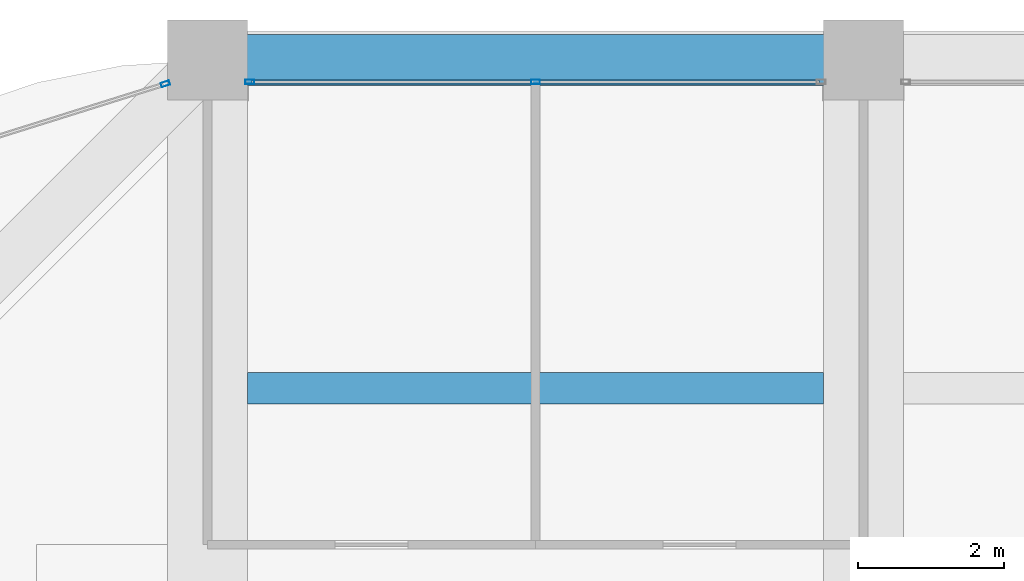
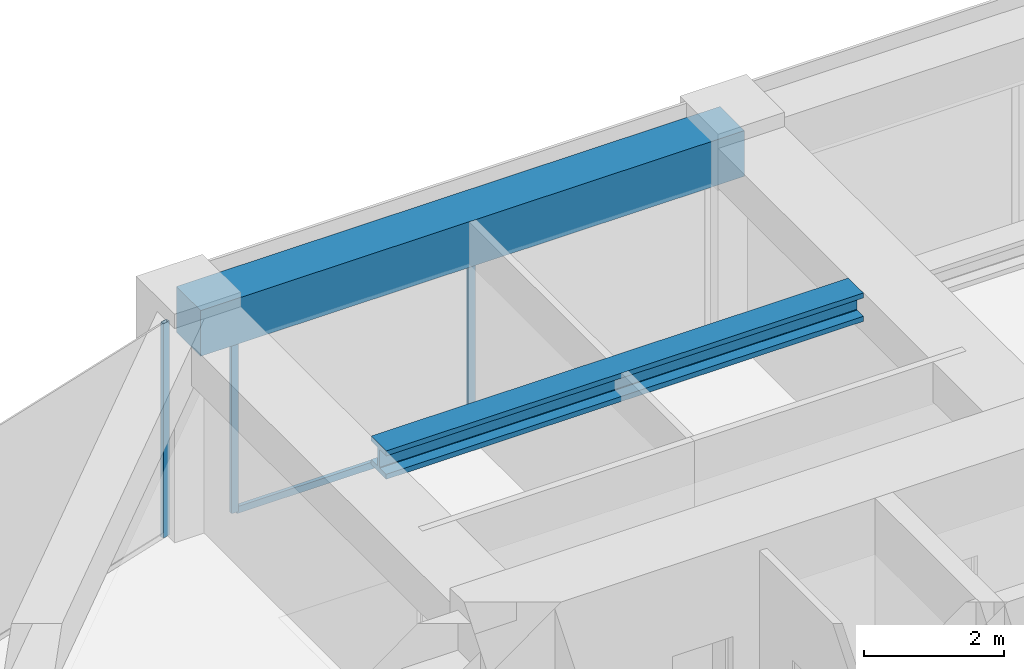
# One storey, part 31 of 44: 4 members, 2 beams, 2 elements without a shape of their own.
"""IFC4 building model written with IfcOpenShell, lengths in metres."""

import ifcopenshell
import ifcopenshell.guid

model = None  # the IFC model being written
_history = None  # IfcOwnerHistory: only IFC2X3 demands one
_inside = {}  # id of a spatial element -> (the spatial element, [elements in it])
_under = {}  # id of a project, library or spatial element -> (it, [spatial elements below it])
_declared = {}  # id of a project -> (the project, [libraries it declares])
_typed = {}  # id of a type object -> (the type object, [elements of that type])
_made_of = {}  # id of a material, layer set ... -> (it, [elements and type objects made of it])


def new_model(schema):
    """Start an empty IFC model of exactly this schema.

    Asked for "IFC4X3", IfcOpenShell would pick the latest addendum, in which some entities
    have other attributes; the version numbers below select the first issue.
    IFC2X3 requires an IfcOwnerHistory on every rooted entity: one is made here for all.
    """
    global model, _history
    if schema == "IFC4X3":
        model = ifcopenshell.file(schema_version=(4, 3, 0, 0))
    else:
        model = ifcopenshell.file(schema=schema)
    _inside.clear()
    _under.clear()
    _declared.clear()
    _typed.clear()
    _made_of.clear()
    _history = None
    if model.schema == "IFC2X3":
        org = make("IfcOrganization", Name="unknown")
        user = make(
            "IfcPersonAndOrganization",
            ThePerson=make("IfcPerson", FamilyName="unknown"),
            TheOrganization=org,
        )
        app = make(
            "IfcApplication",
            ApplicationDeveloper=org,
            Version="unknown",
            ApplicationFullName="unknown",
            ApplicationIdentifier="unknown",
        )
        _history = make(
            "IfcOwnerHistory",
            OwningUser=user,
            OwningApplication=app,
            ChangeAction="ADDED",
            CreationDate=0,
        )
    return model


def make(cls, **values):
    """One entity of the class cls with the attributes given. An attribute that is None is left unset."""
    return model.create_entity(
        cls, **{name: value for name, value in values.items() if value is not None}
    )


def rooted(cls, **values):
    """An entity with a GlobalId (a new one), such as an element, a storey or a relation."""
    return make(cls, GlobalId=ifcopenshell.guid.new(), OwnerHistory=_history, **values)


def si_unit(unit_type, name, prefix=None):
    """IfcSIUnit, for example si_unit("LENGTHUNIT", "METRE", prefix="MILLI")."""
    return make("IfcSIUnit", UnitType=unit_type, Prefix=prefix, Name=name)


def assignment(units):
    """IfcUnitAssignment: the units of a project."""
    return None if units is None else make("IfcUnitAssignment", Units=units)


def point(xyz):
    """IfcCartesianPoint."""
    return None if xyz is None else make("IfcCartesianPoint", Coordinates=xyz)


def direction(xyz):
    """IfcDirection."""
    return None if xyz is None else make("IfcDirection", DirectionRatios=xyz)


def frame(location, z_axis=None, x_axis=None):
    """IfcAxis2Placement3D, a coordinate frame: its origin and axes. An axis left out is left unset."""
    return make(
        "IfcAxis2Placement3D",
        Location=point(location),
        Axis=direction(z_axis),
        RefDirection=direction(x_axis),
    )


def frame_2d(location, x_axis=None):
    """IfcAxis2Placement2D, a coordinate frame in the plane: its origin and x axis."""
    return make(
        "IfcAxis2Placement2D", Location=point(location), RefDirection=direction(x_axis)
    )


def origin():
    """The frame at (0, 0, 0) with its axes left unset."""
    return frame((0.0, 0.0, 0.0))


def origin_2d():
    """The frame at (0, 0) in the plane with its x axis left unset."""
    return frame_2d((0.0, 0.0))


def place(relative_to, where):
    """IfcLocalPlacement: puts the frame where relative to a parent placement (None: the world)."""
    return make(
        "IfcLocalPlacement", PlacementRelTo=relative_to, RelativePlacement=where
    )


def context(
    kind, dimensions, precision=None, world=None, true_north=None, identifier=None
):
    """IfcGeometricRepresentationContext, for example the 3D "Model" context."""
    return make(
        "IfcGeometricRepresentationContext",
        ContextIdentifier=identifier,
        ContextType=kind,
        CoordinateSpaceDimension=dimensions,
        Precision=precision,
        WorldCoordinateSystem=world,
        TrueNorth=true_north,
    )


def subcontext(parent, identifier, kind, view, scale=None):
    """IfcGeometricRepresentationSubContext, for example "Body" below "Model"."""
    return make(
        "IfcGeometricRepresentationSubContext",
        ContextIdentifier=identifier,
        ContextType=kind,
        ParentContext=parent,
        TargetScale=scale,
        TargetView=view,
    )


def project(units=None, contexts=None):
    """IfcProject with its units and contexts."""
    return rooted(
        "IfcProject",
        Name="project",
        RepresentationContexts=contexts,
        UnitsInContext=assignment(units),
    )


def spatial(cls, under=None, at=None, **own):
    """A site, building, storey or space (cls), placed at a placement, below another one or the project."""
    s = rooted(cls, ObjectPlacement=at, **own)
    if under is not None:
        _under.setdefault(under.id(), (under, []))[1].append(s)
    return s


def profile(cls, at=None, kind="AREA", **sizes):
    """A parametric profile (cls). Its sizes go by their IFC names, for example OverallWidth=200.0."""
    return make(cls, ProfileType=kind, Position=at, **sizes)


def rectangle(**sizes):
    """IfcRectangleProfileDef."""
    return profile("IfcRectangleProfileDef", **sizes)


def hollow_rectangle(**sizes):
    """IfcRectangleHollowProfileDef."""
    return profile("IfcRectangleHollowProfileDef", **sizes)


def i_section(**sizes):
    """IfcIShapeProfileDef."""
    return profile("IfcIShapeProfileDef", **sizes)


def extrude(swept, where, along, depth):
    """IfcExtrudedAreaSolid: the profile swept, set in the frame where, extruded along a direction by depth."""
    return make(
        "IfcExtrudedAreaSolid",
        SweptArea=swept,
        Position=where,
        ExtrudedDirection=direction(along),
        Depth=depth,
    )


def shape(context_of_items, identifier, shape_type, items):
    """IfcShapeRepresentation: the items that make up one representation, for example the "Body"."""
    return make(
        "IfcShapeRepresentation",
        ContextOfItems=context_of_items,
        RepresentationIdentifier=identifier,
        RepresentationType=shape_type,
        Items=items,
    )


def material(Name=None, Category=None):
    """IfcMaterial."""
    return make("IfcMaterial", Name=Name, Category=Category)


def material_profile(
    of_material, cross_section, Name=None, Category=None, Priority=None
):
    """IfcMaterialProfile: a cross section and its material."""
    return make(
        "IfcMaterialProfile",
        Name=Name,
        Material=of_material,
        Profile=cross_section,
        Priority=Priority,
        Category=Category,
    )


def profile_set(profiles, Name=None, composite=None):
    """IfcMaterialProfileSet."""
    return make(
        "IfcMaterialProfileSet",
        Name=Name,
        MaterialProfiles=profiles,
        CompositeProfile=composite,
    )


def made_of(thing, what):
    """Note that an element or type object is made of a material, layer set ...; save() writes the relation."""
    if what is not None:
        _made_of.setdefault(what.id(), (what, []))[1].append(thing)
    return thing


def type_object(cls, material=None, **own):
    """A type object (cls), such as IfcWallType, which elements share."""
    return made_of(rooted(cls, **own), material)


def element(
    cls,
    number,
    at=None,
    inside=None,
    cuts=None,
    type_object=None,
    material=None,
    context=None,
    identifier="Body",
    shape_type=None,
    held_by="IfcProductDefinitionShape",
    body=None,
    shapes=None,
    **own,
):
    """One element of the class cls, such as IfcWall. Its Tag is "e" and its number.

    at: its placement. inside: the storey or other place that contains it. cuts: it is an
    opening in that element (IfcRelVoidsElement). A single representation is given by context,
    identifier, shape_type and body (its items); several are given by shapes. held_by: the class
    of the entity that holds the representations. save() writes the other relations.
    """
    e = rooted(cls, Tag="e%d" % number, ObjectPlacement=at, **own)
    if body is not None:
        shapes = [shape(context, identifier, shape_type, body)]
    if shapes is not None:
        e.Representation = make(held_by, Representations=shapes)
    if inside is not None:
        _inside.setdefault(inside.id(), (inside, []))[1].append(e)
    if cuts is not None:
        rooted(
            "IfcRelVoidsElement", RelatingBuildingElement=cuts, RelatedOpeningElement=e
        )
    if type_object is not None:
        _typed.setdefault(type_object.id(), (type_object, []))[1].append(e)
    return made_of(e, material)


def aggregate(whole, parts):
    """IfcRelAggregates: a whole, such as a stair, and the parts it consists of."""
    return rooted("IfcRelAggregates", RelatingObject=whole, RelatedObjects=parts)


def save(model, path):
    """Write the relations noted so far, then the file.

    IfcRelAggregates (storeys below a building ...), IfcRelContainedInSpatialStructure (elements
    in a storey), IfcRelDefinesByType, IfcRelAssociatesMaterial and IfcRelDeclares: one each for
    every whole, place, type object, material and project.
    """
    for whole, parts in _under.values():
        aggregate(whole, parts)
    for where, things in _inside.values():
        rooted(
            "IfcRelContainedInSpatialStructure",
            RelatedElements=things,
            RelatingStructure=where,
        )
    for kind, things in _typed.values():
        rooted("IfcRelDefinesByType", RelatedObjects=things, RelatingType=kind)
    for what, things in _made_of.values():
        rooted("IfcRelAssociatesMaterial", RelatedObjects=things, RelatingMaterial=what)
    for by, libraries in _declared.values():
        rooted("IfcRelDeclares", RelatingContext=by, RelatedDefinitions=libraries)
    model.write(path)


model = new_model("IFC4")

# Units and contexts
model_context = context("Model", 3, precision=1e-05, world=origin(), true_north=direction((0.0, 1.0)))
body_context = subcontext(model_context, "Body", "Model", "MODEL_VIEW")
ifc_project = project(units=[si_unit("LENGTHUNIT", "METRE"), si_unit("AREAUNIT", "SQUARE_METRE"), si_unit("VOLUMEUNIT", "CUBIC_METRE"), si_unit("PLANEANGLEUNIT", "RADIAN"), si_unit("MASSUNIT", "GRAM", prefix="KILO")], contexts=[model_context])

# Site, building, storey
site_placement = place(None, origin())
site = spatial("IfcSite", under=ifc_project, at=site_placement, CompositionType="ELEMENT")
building_placement = place(site_placement, origin())
building = spatial("IfcBuilding", under=site, at=building_placement, Name="Zorevar Civic Tower", CompositionType="ELEMENT")
storey_placement = place(building_placement, frame((0.0, 0.0, 283.39990234375)))
storey = spatial("IfcBuildingStorey", under=building, at=storey_placement, Name="L69", CompositionType="ELEMENT", Elevation=283.39990234375)

# Curtain wall, members
ifc_material_1 = material(Name="Dark grey solar-control glass in black aluminium frame", Category="aluminium")
curtain_wall_type = type_object("IfcCurtainWallType", Name="Curtain wall CW5 top zone", PredefinedType="NOTDEFINED", material=ifc_material_1)
curtain_wall_1_placement = place(storey_placement, origin())
curtain_wall_1 = element("IfcCurtainWall", 1, at=curtain_wall_1_placement, inside=storey, type_object=curtain_wall_type, Name="CW5 L69", PredefinedType="NOTDEFINED")
ifc_material_2 = material(Name="Aluminium, black anodised", Category="aluminium")
ifc_material_profile_1 = material_profile(ifc_material_2, hollow_rectangle(XDim=0.06005859375, YDim=0.1201171875, WallThickness=0.0029296875, at=origin_2d()), Name="AL 120x60x3")
ifc_profile_set_1 = profile_set([ifc_material_profile_1], Name="Aluminium, black anodised")
member_type_1 = type_object("IfcMemberType", Name="CW5 mullion AL 120x60x3", PredefinedType="MULLION", material=ifc_profile_set_1)
member_1_placement = place(storey_placement, frame((18.580078125, 44.699951171875, 0.0), z_axis=(0.0, 0.0, 1.0), x_axis=(0.0, 1.0, 0.0)))
member_1 = element("IfcMember", 2, at=member_1_placement, type_object=member_type_1, Name="CW5 mullion 1", PredefinedType="MULLION", context=body_context, shape_type="SweptSolid", body=[
    extrude(hollow_rectangle(XDim=0.06005859375, YDim=0.1201171875, WallThickness=0.0029296875, at=origin_2d()), origin(), (0.0, 0.0, 1.0), 2.9501953125),
])
member_2_placement = place(storey_placement, frame((22.5, 44.699951171875, 0.06005859375), z_axis=(0.0, 0.0, 1.0), x_axis=(0.0, 1.0, 0.0)))
member_2 = element("IfcMember", 3, at=member_2_placement, type_object=member_type_1, Name="CW5 mullion 2", PredefinedType="MULLION", context=body_context, shape_type="SweptSolid", body=[
    extrude(hollow_rectangle(XDim=0.06005859375, YDim=0.1201171875, WallThickness=0.0029296875, at=origin_2d()), origin(), (0.0, 0.0, 1.0), 2.89013671875),
])

# Curtain wall, member
curtain_wall_2_placement = place(storey_placement, origin())
curtain_wall_2 = element("IfcCurtainWall", 4, at=curtain_wall_2_placement, inside=storey, type_object=curtain_wall_type, Name="CW5 L69", PredefinedType="NOTDEFINED")
member_3_placement = place(storey_placement, frame((17.42138671875, 44.673583984375, 0.0), z_axis=(0.0, 0.0, 1.0), x_axis=(0.299317920238, -0.954153437674, 0.0)))
member_3 = element("IfcMember", 5, at=member_3_placement, type_object=member_type_1, Name="CW5 mullion 1", PredefinedType="MULLION", context=body_context, shape_type="SweptSolid", body=[
    extrude(hollow_rectangle(XDim=0.06005859375, YDim=0.1201171875, WallThickness=0.0029296875, at=origin_2d()), origin(), (0.0, 0.0, 1.0), 3.75),
])
aggregate(curtain_wall_2, [member_3])

# Member
ifc_material_3 = material(Name="Aluminium, black anodised", Category="aluminium")
ifc_material_profile_2 = material_profile(ifc_material_3, hollow_rectangle(XDim=0.06005859375, YDim=0.1201171875, WallThickness=0.0029296875, at=origin_2d()), Name="AL 120x60x3")
ifc_profile_set_2 = profile_set([ifc_material_profile_2], Name="Aluminium, black anodised")
member_type_2 = type_object("IfcMemberType", Name="CW5 transom AL 120x60x3", PredefinedType="USERDEFINED", material=ifc_profile_set_2)
member_4_placement = place(storey_placement, frame((18.610107421875, 44.699951171875, 0.030029296875), z_axis=(1.0, 0.0, 0.0), x_axis=(0.0, 1.0, 0.0)))
member_4 = element("IfcMember", 6, at=member_4_placement, type_object=member_type_2, Name="CW5 sill transom", ObjectType="TRANSOM", PredefinedType="USERDEFINED", context=body_context, shape_type="SweptSolid", body=[
    extrude(hollow_rectangle(XDim=0.06005859375, YDim=0.1201171875, WallThickness=0.0029296875, at=origin_2d()), origin(), (0.0, 0.0, 1.0), 7.77978515625),
])

aggregate(curtain_wall_1, [member_1, member_2, member_4])

# Beams
ifc_material_4 = material(Name="Steel S460M (HISTAR 460)", Category="steel")
ifc_material_profile_3 = material_profile(ifc_material_4, i_section(OverallWidth=0.431884765625, OverallDepth=0.498046875, WebThickness=0.0556640625, FlangeThickness=0.0888671875, FilletRadius=0.014892578125, at=origin_2d()), Name="HD 400x744")
ifc_profile_set_3 = profile_set([ifc_material_profile_3], Name="Steel S460M (HISTAR 460)")
beam_type_1 = type_object("IfcBeamType", Name="Core bay beam HD 400x744", PredefinedType="BEAM", material=ifc_profile_set_3)
beam_1_placement = place(storey_placement, frame((18.550048828125, 40.5, 3.5009765625), z_axis=(1.0, 0.0, 0.0), x_axis=(0.0, 1.0, 0.0)))
element("IfcBeam", 7, at=beam_1_placement, inside=storey, type_object=beam_type_1, Name="Secondary beam L70", PredefinedType="BEAM", context=body_context, shape_type="SweptSolid", body=[
    extrude(i_section(OverallWidth=0.431884765625, OverallDepth=0.498046875, WebThickness=0.0556640625, FlangeThickness=0.0888671875, FilletRadius=0.014892578125, at=origin_2d()), origin(), (0.0, 0.0, 1.0), 7.89990234375),
])
ifc_material_5 = material(Name="Concrete C50/60", Category="concrete")
ifc_material_profile_4 = material_profile(ifc_material_5, rectangle(XDim=0.699951171875, YDim=0.800048828125, at=origin_2d()), Name="RC 700x800")
ifc_profile_set_4 = profile_set([ifc_material_profile_4], Name="Concrete C50/60")
beam_type_2 = type_object("IfcBeamType", Name="Edge beam RC 700x800", PredefinedType="SPANDREL", material=ifc_profile_set_4)
beam_2_placement = place(storey_placement, frame((18.0, 45.0, 3.35009765625), z_axis=(1.0, 0.0, 0.0), x_axis=(0.0, 1.0, 0.0)))
element("IfcBeam", 8, at=beam_2_placement, inside=storey, type_object=beam_type_2, Name="Edge beam L70", PredefinedType="SPANDREL", context=body_context, shape_type="SweptSolid", body=[
    extrude(rectangle(XDim=0.699951171875, YDim=0.800048828125, at=origin_2d()), origin(), (0.0, 0.0, 1.0), 9.0),
])

save(model, "model.ifc")
